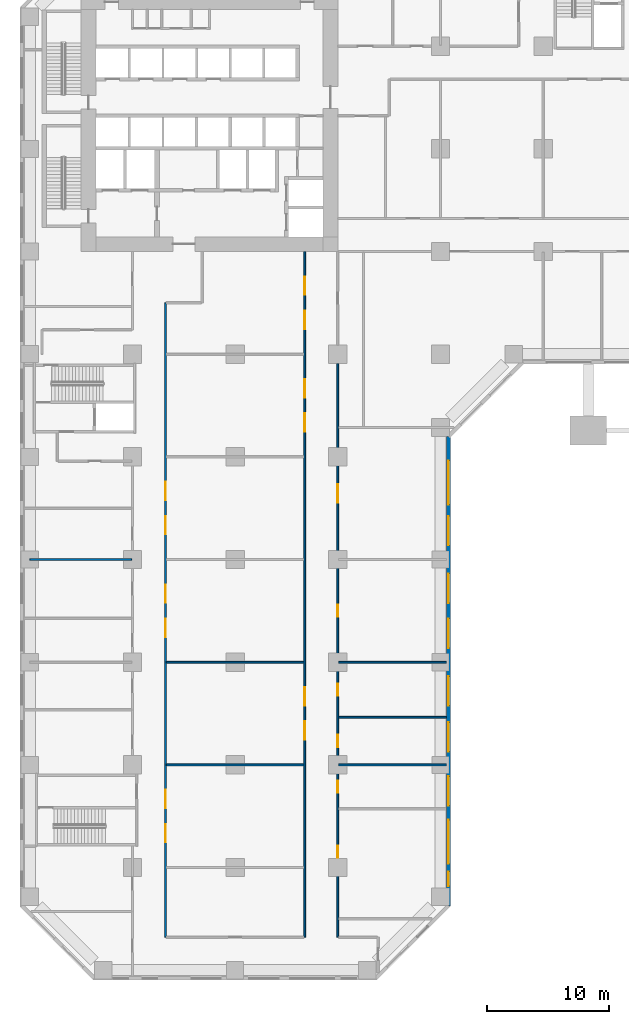
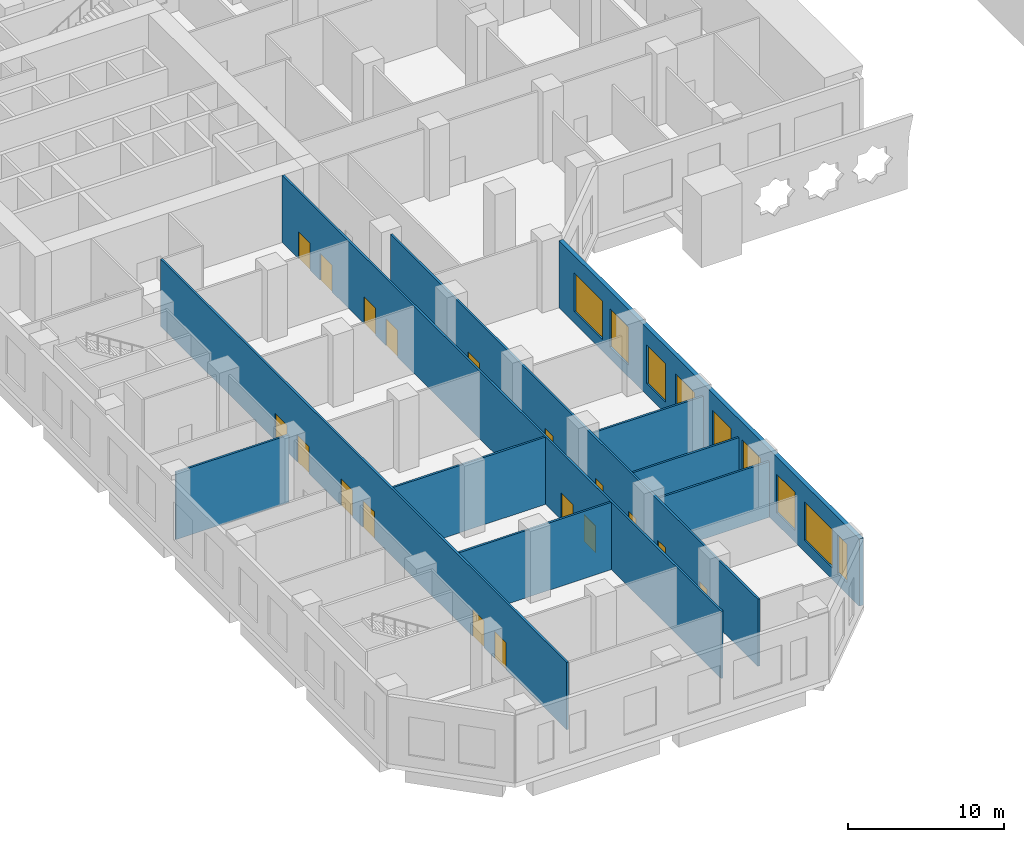
# One storey, part 3 of 17: 18 doors, 10 walls, 9 windows, 27 openings.
"""IFC4 building model written with IfcOpenShell, lengths in metres."""

from ifc_helpers import new_model, si_unit, direction, frame, frame_2d, origin, place, context, subcontext, project, spatial, rectangle, extrude, material, layer, layer_set, type_object, element, fill, save


model = new_model("IFC4")

# Units and contexts
model_context = context("Model", 3, precision=1e-05, world=origin(), true_north=direction((0.0, 1.0)))
body_context = subcontext(model_context, "Body", "Model", "MODEL_VIEW")
ifc_project = project(units=[si_unit("LENGTHUNIT", "METRE"), si_unit("AREAUNIT", "SQUARE_METRE"), si_unit("VOLUMEUNIT", "CUBIC_METRE"), si_unit("PLANEANGLEUNIT", "RADIAN"), si_unit("MASSUNIT", "GRAM", prefix="KILO")], contexts=[model_context])

# Site, building, storey
site_placement = place(None, origin())
site = spatial("IfcSite", under=ifc_project, at=site_placement, CompositionType="ELEMENT")
building_placement = place(site_placement, origin())
building = spatial("IfcBuilding", under=site, at=building_placement, Name="Kawkab Arch Medical Tower", CompositionType="ELEMENT")
storey_placement = place(building_placement, frame((0.0, 0.0, 7.0)))
storey = spatial("IfcBuildingStorey", under=building, at=storey_placement, Name="L02", CompositionType="ELEMENT", Elevation=7.0)

# Walls
ifc_material_1 = material(Name="Gypsum board partition on steel studs, mineral wool", Category="steel")
ifc_layer_1 = layer(ifc_material_1, 0.14990234375)
ifc_layer_set_1 = layer_set([ifc_layer_1], Name="Gypsum board partition on steel studs, mineral wool")
wall_type_1 = type_object("IfcWallType", Name="Partition 150", PredefinedType="PARTITIONING", material=ifc_layer_set_1)
wall_1_placement = place(storey_placement, frame((11.175048828125, -67.199951171875, 0.0), z_axis=(0.0, 0.0, 1.0), x_axis=(1.0, 0.0, 0.0)))
element("IfcWall", 1, at=wall_1_placement, inside=storey, type_object=wall_type_1, Name="Partition 150 w008", PredefinedType="PARTITIONING", context=body_context, shape_type="SweptSolid", body=[
    extrude(rectangle(XDim=11.25, YDim=0.14990234375, at=frame_2d((5.625, 0.0))), origin(), (0.0, 0.0, 1.0), 5.25),
])
wall_2_placement = place(storey_placement, frame((25.27490234375, -67.199951171875, 0.0), z_axis=(0.0, 0.0, 1.0), x_axis=(1.0, 0.0, 0.0)))
element("IfcWall", 2, at=wall_2_placement, inside=storey, type_object=wall_type_1, Name="Partition 150 w009", PredefinedType="PARTITIONING", context=body_context, shape_type="SweptSolid", body=[
    extrude(rectangle(XDim=8.80517578125, YDim=0.14990234375, at=frame_2d((4.402587890625, 0.0))), origin(), (0.0, 0.0, 1.0), 4.35009765625),
])
wall_3_placement = place(storey_placement, frame((25.27490234375, -63.300048828125, 0.0), z_axis=(0.0, 0.0, 1.0), x_axis=(1.0, 0.0, 0.0)))
element("IfcWall", 3, at=wall_3_placement, inside=storey, type_object=wall_type_1, Name="Partition 150 w010", PredefinedType="PARTITIONING", context=body_context, shape_type="SweptSolid", body=[
    extrude(rectangle(XDim=8.80517578125, YDim=0.14990234375, at=frame_2d((4.402587890625, 0.0))), origin(), (0.0, 0.0, 1.0), 3.85009765625),
])
wall_4_placement = place(storey_placement, frame((11.175048828125, -58.800048828125, 0.0), z_axis=(0.0, 0.0, 1.0), x_axis=(1.0, 0.0, 0.0)))
element("IfcWall", 4, at=wall_4_placement, inside=storey, type_object=wall_type_1, Name="Partition 150 w013", PredefinedType="PARTITIONING", context=body_context, shape_type="SweptSolid", body=[
    extrude(rectangle(XDim=11.25, YDim=0.14990234375, at=frame_2d((5.625, 0.0))), origin(), (0.0, 0.0, 1.0), 5.25),
])
wall_5_placement = place(storey_placement, frame((25.27490234375, -58.800048828125, 0.0), z_axis=(0.0, 0.0, 1.0), x_axis=(1.0, 0.0, 0.0)))
element("IfcWall", 5, at=wall_5_placement, inside=storey, type_object=wall_type_1, Name="Partition 150 w014", PredefinedType="PARTITIONING", context=body_context, shape_type="SweptSolid", body=[
    extrude(rectangle(XDim=8.80517578125, YDim=0.14990234375, at=frame_2d((4.402587890625, 0.0))), origin(), (0.0, 0.0, 1.0), 4.35009765625),
])
wall_6_placement = place(storey_placement, frame((0.001953125, -50.39990234375, 0.0), z_axis=(0.0, 0.0, 1.0), x_axis=(1.0, 0.0, 0.0)))
element("IfcWall", 6, at=wall_6_placement, inside=storey, type_object=wall_type_1, Name="Partition 150 w016", PredefinedType="PARTITIONING", context=body_context, shape_type="SweptSolid", body=[
    extrude(rectangle(XDim=8.322998046875, YDim=0.14990234375, at=frame_2d((4.16162109375, 0.0))), origin(), (0.0, 0.0, 1.0), 5.25),
])

# Wall, openings, doors
wall_7_placement = place(storey_placement, frame((11.10009765625, -81.300048828125, 0.0), z_axis=(0.0, 0.0, 1.0), x_axis=(0.0, 1.0, 0.0)))
wall_7 = element("IfcWall", 7, at=wall_7_placement, inside=storey, type_object=wall_type_1, Name="Partition 150 w045", PredefinedType="PARTITIONING", context=body_context, shape_type="SweptSolid", body=[
    extrude(rectangle(XDim=51.900146484375, YDim=0.14990234375, at=frame_2d((25.9501953125, 0.0))), origin(), (0.0, 0.0, 1.0), 5.25),
])
opening_1_placement = place(wall_7_placement, frame((35.75, 0.0, 0.0)))
opening_1 = element("IfcOpeningElement", 8, at=opening_1_placement, cuts=wall_7, Name="Opening P02-020", PredefinedType="OPENING", context=body_context, shape_type="SweptSolid", body=[
    extrude(rectangle(XDim=1.5, YDim=2.10009765625, at=frame_2d((0.75, 1.050048828125))), frame((0.0, 0.0849609375, 0.0), z_axis=(0.0, -1.0, 0.0), x_axis=(1.0, 0.0, 0.0)), (0.0, 0.0, 1.0), 0.169921875),
])
opening_2_placement = place(wall_7_placement, frame((32.949951171875, 0.0, 0.0)))
opening_2 = element("IfcOpeningElement", 9, at=opening_2_placement, cuts=wall_7, Name="Opening P02-021", PredefinedType="OPENING", context=body_context, shape_type="SweptSolid", body=[
    extrude(rectangle(XDim=1.5, YDim=2.10009765625, at=frame_2d((0.75, 1.050048828125))), frame((0.0, 0.0849609375, 0.0), z_axis=(0.0, -1.0, 0.0), x_axis=(1.0, 0.0, 0.0)), (0.0, 0.0, 1.0), 0.169921875),
])
opening_3_placement = place(wall_7_placement, frame((27.35009765625, 0.0, 0.0)))
opening_3 = element("IfcOpeningElement", 10, at=opening_3_placement, cuts=wall_7, Name="Opening P02-022", PredefinedType="OPENING", context=body_context, shape_type="SweptSolid", body=[
    extrude(rectangle(XDim=1.5, YDim=2.10009765625, at=frame_2d((0.75, 1.050048828125))), frame((0.0, 0.0849609375, 0.0), z_axis=(0.0, -1.0, 0.0), x_axis=(1.0, 0.0, 0.0)), (0.0, 0.0, 1.0), 0.169921875),
])
opening_4_placement = place(wall_7_placement, frame((24.550048828125, 0.0, 0.0)))
opening_4 = element("IfcOpeningElement", 11, at=opening_4_placement, cuts=wall_7, Name="Opening P02-023", PredefinedType="OPENING", context=body_context, shape_type="SweptSolid", body=[
    extrude(rectangle(XDim=1.5, YDim=2.10009765625, at=frame_2d((0.75, 1.050048828125))), frame((0.0, 0.0849609375, 0.0), z_axis=(0.0, -1.0, 0.0), x_axis=(1.0, 0.0, 0.0)), (0.0, 0.0, 1.0), 0.169921875),
])
opening_5_placement = place(wall_7_placement, frame((10.550048828125, 0.0, 0.0)))
opening_5 = element("IfcOpeningElement", 12, at=opening_5_placement, cuts=wall_7, Name="Opening P02-026", PredefinedType="OPENING", context=body_context, shape_type="SweptSolid", body=[
    extrude(rectangle(XDim=1.5, YDim=2.10009765625, at=frame_2d((0.75, 1.050048828125))), frame((0.0, 0.0849609375, 0.0), z_axis=(0.0, -1.0, 0.0), x_axis=(1.0, 0.0, 0.0)), (0.0, 0.0, 1.0), 0.169921875),
])
opening_6_placement = place(wall_7_placement, frame((7.75, 0.0, 0.0)))
opening_6 = element("IfcOpeningElement", 13, at=opening_6_placement, cuts=wall_7, Name="Opening P02-027", PredefinedType="OPENING", context=body_context, shape_type="SweptSolid", body=[
    extrude(rectangle(XDim=1.5, YDim=2.10009765625, at=frame_2d((0.75, 1.050048828125))), frame((0.0, 0.0849609375, 0.0), z_axis=(0.0, -1.0, 0.0), x_axis=(1.0, 0.0, 0.0)), (0.0, 0.0, 1.0), 0.169921875),
])
ifc_material_2 = material(Name="Hollow metal door leaf")
door_type_1 = type_object("IfcDoorType", Name="Double door 1500x2100 FD30S", OperationType="NOTDEFINED", PredefinedType="DOOR", material=ifc_material_2)
door_1_placement = place(opening_1_placement, origin())
door_1 = element("IfcDoor", 14, at=door_1_placement, inside=storey, type_object=door_type_1, Name="Door P02-020", OperationType="DOUBLE_DOOR_SINGLE_SWING", OverallHeight=2.10009765625, OverallWidth=1.5, PredefinedType="DOOR", context=body_context, shape_type="SweptSolid", body=[
    extrude(rectangle(XDim=1.5, YDim=2.10009765625, at=frame_2d((0.75, 1.050048828125))), frame((0.0, 0.02490234375, 0.0), z_axis=(0.0, -1.0, 0.0), x_axis=(1.0, 0.0, 0.0)), (0.0, 0.0, 1.0), 0.050048828125),
])
fill(opening_1, door_1)
door_2_placement = place(opening_2_placement, origin())
door_2 = element("IfcDoor", 15, at=door_2_placement, inside=storey, type_object=door_type_1, Name="Door P02-021", OperationType="DOUBLE_DOOR_SINGLE_SWING", OverallHeight=2.10009765625, OverallWidth=1.5, PredefinedType="DOOR", context=body_context, shape_type="SweptSolid", body=[
    extrude(rectangle(XDim=1.5, YDim=2.10009765625, at=frame_2d((0.75, 1.050048828125))), frame((0.0, 0.02490234375, 0.0), z_axis=(0.0, -1.0, 0.0), x_axis=(1.0, 0.0, 0.0)), (0.0, 0.0, 1.0), 0.050048828125),
])
fill(opening_2, door_2)
door_3_placement = place(opening_3_placement, origin())
door_3 = element("IfcDoor", 16, at=door_3_placement, inside=storey, type_object=door_type_1, Name="Door P02-022", OperationType="DOUBLE_DOOR_SINGLE_SWING", OverallHeight=2.10009765625, OverallWidth=1.5, PredefinedType="DOOR", context=body_context, shape_type="SweptSolid", body=[
    extrude(rectangle(XDim=1.5, YDim=2.10009765625, at=frame_2d((0.75, 1.050048828125))), frame((0.0, 0.02490234375, 0.0), z_axis=(0.0, -1.0, 0.0), x_axis=(1.0, 0.0, 0.0)), (0.0, 0.0, 1.0), 0.050048828125),
])
fill(opening_3, door_3)
door_4_placement = place(opening_4_placement, origin())
door_4 = element("IfcDoor", 17, at=door_4_placement, inside=storey, type_object=door_type_1, Name="Door P02-023", OperationType="DOUBLE_DOOR_SINGLE_SWING", OverallHeight=2.10009765625, OverallWidth=1.5, PredefinedType="DOOR", context=body_context, shape_type="SweptSolid", body=[
    extrude(rectangle(XDim=1.5, YDim=2.10009765625, at=frame_2d((0.75, 1.050048828125))), frame((0.0, 0.02490234375, 0.0), z_axis=(0.0, -1.0, 0.0), x_axis=(1.0, 0.0, 0.0)), (0.0, 0.0, 1.0), 0.050048828125),
])
fill(opening_4, door_4)
door_5_placement = place(opening_5_placement, origin())
door_5 = element("IfcDoor", 18, at=door_5_placement, inside=storey, type_object=door_type_1, Name="Door P02-026", OperationType="DOUBLE_DOOR_SINGLE_SWING", OverallHeight=2.10009765625, OverallWidth=1.5, PredefinedType="DOOR", context=body_context, shape_type="SweptSolid", body=[
    extrude(rectangle(XDim=1.5, YDim=2.10009765625, at=frame_2d((0.75, 1.050048828125))), frame((0.0, 0.02490234375, 0.0), z_axis=(0.0, -1.0, 0.0), x_axis=(1.0, 0.0, 0.0)), (0.0, 0.0, 1.0), 0.050048828125),
])
fill(opening_5, door_5)
door_6_placement = place(opening_6_placement, origin())
door_6 = element("IfcDoor", 19, at=door_6_placement, inside=storey, type_object=door_type_1, Name="Door P02-027", OperationType="DOUBLE_DOOR_SINGLE_SWING", OverallHeight=2.10009765625, OverallWidth=1.5, PredefinedType="DOOR", context=body_context, shape_type="SweptSolid", body=[
    extrude(rectangle(XDim=1.5, YDim=2.10009765625, at=frame_2d((0.75, 1.050048828125))), frame((0.0, 0.02490234375, 0.0), z_axis=(0.0, -1.0, 0.0), x_axis=(1.0, 0.0, 0.0)), (0.0, 0.0, 1.0), 0.050048828125),
])
fill(opening_6, door_6)

wall_8_placement = place(storey_placement, frame((22.5, -81.300048828125, 0.0), z_axis=(0.0, 0.0, 1.0), x_axis=(0.0, 1.0, 0.0)))
wall_8 = element("IfcWall", 20, at=wall_8_placement, inside=storey, type_object=wall_type_1, Name="Partition 150 w047", PredefinedType="PARTITIONING", context=body_context, shape_type="SweptSolid", body=[
    extrude(rectangle(XDim=56.10009765625, YDim=0.14990234375, at=frame_2d((28.050048828125, 0.0))), origin(), (0.0, 0.0, 1.0), 5.25),
])
opening_7_placement = place(wall_8_placement, frame((49.75, 0.0, 0.0)))
opening_7 = element("IfcOpeningElement", 21, at=opening_7_placement, cuts=wall_8, Name="Opening P02-016", PredefinedType="OPENING", context=body_context, shape_type="SweptSolid", body=[
    extrude(rectangle(XDim=1.5, YDim=2.10009765625, at=frame_2d((0.75, 1.050048828125))), frame((0.0, 0.0849609375, 0.0), z_axis=(0.0, -1.0, 0.0), x_axis=(1.0, 0.0, 0.0)), (0.0, 0.0, 1.0), 0.169921875),
])
opening_8_placement = place(wall_8_placement, frame((52.550048828125, 0.0, 0.0)))
opening_8 = element("IfcOpeningElement", 22, at=opening_8_placement, cuts=wall_8, Name="Opening P02-017", PredefinedType="OPENING", context=body_context, shape_type="SweptSolid", body=[
    extrude(rectangle(XDim=1.5, YDim=2.10009765625, at=frame_2d((0.75, 1.050048828125))), frame((0.0, 0.0849609375, 0.0), z_axis=(0.0, -1.0, 0.0), x_axis=(1.0, 0.0, 0.0)), (0.0, 0.0, 1.0), 0.169921875),
])
opening_9_placement = place(wall_8_placement, frame((41.35009765625, 0.0, 0.0)))
opening_9 = element("IfcOpeningElement", 23, at=opening_9_placement, cuts=wall_8, Name="Opening P02-018", PredefinedType="OPENING", context=body_context, shape_type="SweptSolid", body=[
    extrude(rectangle(XDim=1.5, YDim=2.10009765625, at=frame_2d((0.75, 1.050048828125))), frame((0.0, 0.0849609375, 0.0), z_axis=(0.0, -1.0, 0.0), x_axis=(1.0, 0.0, 0.0)), (0.0, 0.0, 1.0), 0.169921875),
])
opening_10_placement = place(wall_8_placement, frame((44.14990234375, 0.0, 0.0)))
opening_10 = element("IfcOpeningElement", 24, at=opening_10_placement, cuts=wall_8, Name="Opening P02-019", PredefinedType="OPENING", context=body_context, shape_type="SweptSolid", body=[
    extrude(rectangle(XDim=1.5, YDim=2.10009765625, at=frame_2d((0.75, 1.050048828125))), frame((0.0, 0.0849609375, 0.0), z_axis=(0.0, -1.0, 0.0), x_axis=(1.0, 0.0, 0.0)), (0.0, 0.0, 1.0), 0.169921875),
])
opening_11_placement = place(wall_8_placement, frame((16.14990234375, 0.0, 0.0)))
opening_11 = element("IfcOpeningElement", 25, at=opening_11_placement, cuts=wall_8, Name="Opening P02-024", PredefinedType="OPENING", context=body_context, shape_type="SweptSolid", body=[
    extrude(rectangle(XDim=1.5, YDim=2.10009765625, at=frame_2d((0.75, 1.050048828125))), frame((0.0, 0.0849609375, 0.0), z_axis=(0.0, -1.0, 0.0), x_axis=(1.0, 0.0, 0.0)), (0.0, 0.0, 1.0), 0.169921875),
])
opening_12_placement = place(wall_8_placement, frame((18.949951171875, 0.0, 0.0)))
opening_12 = element("IfcOpeningElement", 26, at=opening_12_placement, cuts=wall_8, Name="Opening P02-025", PredefinedType="OPENING", context=body_context, shape_type="SweptSolid", body=[
    extrude(rectangle(XDim=1.5, YDim=2.10009765625, at=frame_2d((0.75, 1.050048828125))), frame((0.0, 0.0849609375, 0.0), z_axis=(0.0, -1.0, 0.0), x_axis=(1.0, 0.0, 0.0)), (0.0, 0.0, 1.0), 0.169921875),
])
door_7_placement = place(opening_7_placement, origin())
door_7 = element("IfcDoor", 27, at=door_7_placement, inside=storey, type_object=door_type_1, Name="Door P02-016", OperationType="DOUBLE_DOOR_SINGLE_SWING", OverallHeight=2.10009765625, OverallWidth=1.5, PredefinedType="DOOR", context=body_context, shape_type="SweptSolid", body=[
    extrude(rectangle(XDim=1.5, YDim=2.10009765625, at=frame_2d((0.75, 1.050048828125))), frame((0.0, 0.02490234375, 0.0), z_axis=(0.0, -1.0, 0.0), x_axis=(1.0, 0.0, 0.0)), (0.0, 0.0, 1.0), 0.050048828125),
])
fill(opening_7, door_7)
door_8_placement = place(opening_8_placement, origin())
door_8 = element("IfcDoor", 28, at=door_8_placement, inside=storey, type_object=door_type_1, Name="Door P02-017", OperationType="DOUBLE_DOOR_SINGLE_SWING", OverallHeight=2.10009765625, OverallWidth=1.5, PredefinedType="DOOR", context=body_context, shape_type="SweptSolid", body=[
    extrude(rectangle(XDim=1.5, YDim=2.10009765625, at=frame_2d((0.75, 1.050048828125))), frame((0.0, 0.02490234375, 0.0), z_axis=(0.0, -1.0, 0.0), x_axis=(1.0, 0.0, 0.0)), (0.0, 0.0, 1.0), 0.050048828125),
])
fill(opening_8, door_8)
door_9_placement = place(opening_9_placement, origin())
door_9 = element("IfcDoor", 29, at=door_9_placement, inside=storey, type_object=door_type_1, Name="Door P02-018", OperationType="DOUBLE_DOOR_SINGLE_SWING", OverallHeight=2.10009765625, OverallWidth=1.5, PredefinedType="DOOR", context=body_context, shape_type="SweptSolid", body=[
    extrude(rectangle(XDim=1.5, YDim=2.10009765625, at=frame_2d((0.75, 1.050048828125))), frame((0.0, 0.02490234375, 0.0), z_axis=(0.0, -1.0, 0.0), x_axis=(1.0, 0.0, 0.0)), (0.0, 0.0, 1.0), 0.050048828125),
])
fill(opening_9, door_9)
door_10_placement = place(opening_10_placement, origin())
door_10 = element("IfcDoor", 30, at=door_10_placement, inside=storey, type_object=door_type_1, Name="Door P02-019", OperationType="DOUBLE_DOOR_SINGLE_SWING", OverallHeight=2.10009765625, OverallWidth=1.5, PredefinedType="DOOR", context=body_context, shape_type="SweptSolid", body=[
    extrude(rectangle(XDim=1.5, YDim=2.10009765625, at=frame_2d((0.75, 1.050048828125))), frame((0.0, 0.02490234375, 0.0), z_axis=(0.0, -1.0, 0.0), x_axis=(1.0, 0.0, 0.0)), (0.0, 0.0, 1.0), 0.050048828125),
])
fill(opening_10, door_10)
door_11_placement = place(opening_11_placement, origin())
door_11 = element("IfcDoor", 31, at=door_11_placement, inside=storey, type_object=door_type_1, Name="Door P02-024", OperationType="DOUBLE_DOOR_SINGLE_SWING", OverallHeight=2.10009765625, OverallWidth=1.5, PredefinedType="DOOR", context=body_context, shape_type="SweptSolid", body=[
    extrude(rectangle(XDim=1.5, YDim=2.10009765625, at=frame_2d((0.75, 1.050048828125))), frame((0.0, 0.02490234375, 0.0), z_axis=(0.0, -1.0, 0.0), x_axis=(1.0, 0.0, 0.0)), (0.0, 0.0, 1.0), 0.050048828125),
])
fill(opening_11, door_11)
door_12_placement = place(opening_12_placement, origin())
door_12 = element("IfcDoor", 32, at=door_12_placement, inside=storey, type_object=door_type_1, Name="Door P02-025", OperationType="DOUBLE_DOOR_SINGLE_SWING", OverallHeight=2.10009765625, OverallWidth=1.5, PredefinedType="DOOR", context=body_context, shape_type="SweptSolid", body=[
    extrude(rectangle(XDim=1.5, YDim=2.10009765625, at=frame_2d((0.75, 1.050048828125))), frame((0.0, 0.02490234375, 0.0), z_axis=(0.0, -1.0, 0.0), x_axis=(1.0, 0.0, 0.0)), (0.0, 0.0, 1.0), 0.050048828125),
])
fill(opening_12, door_12)

wall_9_placement = place(storey_placement, frame((25.199951171875, -81.300048828125, 0.0), z_axis=(0.0, 0.0, 1.0), x_axis=(0.0, 1.0, 0.0)))
wall_9 = element("IfcWall", 33, at=wall_9_placement, inside=storey, type_object=wall_type_1, Name="Partition 150 w048", PredefinedType="PARTITIONING", context=body_context, shape_type="SweptSolid", body=[
    extrude(rectangle(XDim=46.949951171875, YDim=0.14990234375, at=frame_2d((23.47509765625, 0.0))), origin(), (0.0, 0.0, 1.0), 5.25),
])
opening_13_placement = place(wall_9_placement, frame((35.550048828125, 0.0, 0.0)))
opening_13 = element("IfcOpeningElement", 34, at=opening_13_placement, cuts=wall_9, Name="Opening P02-028", PredefinedType="OPENING", context=body_context, shape_type="SweptSolid", body=[
    extrude(rectangle(XDim=1.5, YDim=2.10009765625, at=frame_2d((0.75, 1.050048828125))), frame((0.0, 0.0849609375, 0.0), z_axis=(0.0, -1.0, 0.0), x_axis=(1.0, 0.0, 0.0)), (0.0, 0.0, 1.0), 0.169921875),
])
opening_14_placement = place(wall_9_placement, frame((26.199951171875, 0.0, 0.0)))
opening_14 = element("IfcOpeningElement", 35, at=opening_14_placement, cuts=wall_9, Name="Opening P02-053", PredefinedType="OPENING", context=body_context, shape_type="SweptSolid", body=[
    extrude(rectangle(XDim=1.0, YDim=2.10009765625, at=frame_2d((0.5, 1.050048828125))), frame((0.0, 0.0849609375, 0.0), z_axis=(0.0, -1.0, 0.0), x_axis=(1.0, 0.0, 0.0)), (0.0, 0.0, 1.0), 0.169921875),
])
opening_15_placement = place(wall_9_placement, frame((19.75, 0.0, 0.0)))
opening_15 = element("IfcOpeningElement", 36, at=opening_15_placement, cuts=wall_9, Name="Opening P02-054", PredefinedType="OPENING", context=body_context, shape_type="SweptSolid", body=[
    extrude(rectangle(XDim=1.0, YDim=2.10009765625, at=frame_2d((0.5, 1.050048828125))), frame((0.0, 0.0849609375, 0.0), z_axis=(0.0, -1.0, 0.0), x_axis=(1.0, 0.0, 0.0)), (0.0, 0.0, 1.0), 0.169921875),
])
opening_16_placement = place(wall_9_placement, frame((15.550048828125, 0.0, 0.0)))
opening_16 = element("IfcOpeningElement", 37, at=opening_16_placement, cuts=wall_9, Name="Opening P02-055", PredefinedType="OPENING", context=body_context, shape_type="SweptSolid", body=[
    extrude(rectangle(XDim=1.0, YDim=2.10009765625, at=frame_2d((0.5, 1.050048828125))), frame((0.0, 0.0849609375, 0.0), z_axis=(0.0, -1.0, 0.0), x_axis=(1.0, 0.0, 0.0)), (0.0, 0.0, 1.0), 0.169921875),
])
opening_17_placement = place(wall_9_placement, frame((11.800048828125, 0.0, 0.0)))
opening_17 = element("IfcOpeningElement", 38, at=opening_17_placement, cuts=wall_9, Name="Opening P02-056", PredefinedType="OPENING", context=body_context, shape_type="SweptSolid", body=[
    extrude(rectangle(XDim=1.0, YDim=2.10009765625, at=frame_2d((0.5, 1.050048828125))), frame((0.0, 0.0849609375, 0.0), z_axis=(0.0, -1.0, 0.0), x_axis=(1.0, 0.0, 0.0)), (0.0, 0.0, 1.0), 0.169921875),
])
opening_18_placement = place(wall_9_placement, frame((6.5, 0.0, 0.0)))
opening_18 = element("IfcOpeningElement", 39, at=opening_18_placement, cuts=wall_9, Name="Opening P02-057", PredefinedType="OPENING", context=body_context, shape_type="SweptSolid", body=[
    extrude(rectangle(XDim=1.0, YDim=2.10009765625, at=frame_2d((0.5, 1.050048828125))), frame((0.0, 0.0849609375, 0.0), z_axis=(0.0, -1.0, 0.0), x_axis=(1.0, 0.0, 0.0)), (0.0, 0.0, 1.0), 0.169921875),
])
door_13_placement = place(opening_13_placement, origin())
door_13 = element("IfcDoor", 40, at=door_13_placement, inside=storey, type_object=door_type_1, Name="Door P02-028", OperationType="DOUBLE_DOOR_SINGLE_SWING", OverallHeight=2.10009765625, OverallWidth=1.5, PredefinedType="DOOR", context=body_context, shape_type="SweptSolid", body=[
    extrude(rectangle(XDim=1.5, YDim=2.10009765625, at=frame_2d((0.75, 1.050048828125))), frame((0.0, 0.02490234375, 0.0), z_axis=(0.0, -1.0, 0.0), x_axis=(1.0, 0.0, 0.0)), (0.0, 0.0, 1.0), 0.050048828125),
])
fill(opening_13, door_13)
ifc_material_3 = material(Name="Hollow metal door leaf")
door_type_2 = type_object("IfcDoorType", Name="Single door 1000x2100 FD30S", OperationType="NOTDEFINED", PredefinedType="DOOR", material=ifc_material_3)
door_14_placement = place(opening_14_placement, origin())
door_14 = element("IfcDoor", 41, at=door_14_placement, inside=storey, type_object=door_type_2, Name="Door P02-053", OperationType="SINGLE_SWING_LEFT", OverallHeight=2.10009765625, OverallWidth=1.0, PredefinedType="DOOR", context=body_context, shape_type="SweptSolid", body=[
    extrude(rectangle(XDim=1.0, YDim=2.10009765625, at=frame_2d((0.5, 1.050048828125))), frame((0.0, 0.02490234375, 0.0), z_axis=(0.0, -1.0, 0.0), x_axis=(1.0, 0.0, 0.0)), (0.0, 0.0, 1.0), 0.050048828125),
])
fill(opening_14, door_14)
door_15_placement = place(opening_15_placement, origin())
door_15 = element("IfcDoor", 42, at=door_15_placement, inside=storey, type_object=door_type_2, Name="Door P02-054", OperationType="SINGLE_SWING_RIGHT", OverallHeight=2.10009765625, OverallWidth=1.0, PredefinedType="DOOR", context=body_context, shape_type="SweptSolid", body=[
    extrude(rectangle(XDim=1.0, YDim=2.10009765625, at=frame_2d((0.5, 1.050048828125))), frame((0.0, 0.02490234375, 0.0), z_axis=(0.0, -1.0, 0.0), x_axis=(1.0, 0.0, 0.0)), (0.0, 0.0, 1.0), 0.050048828125),
])
fill(opening_15, door_15)
door_16_placement = place(opening_16_placement, origin())
door_16 = element("IfcDoor", 43, at=door_16_placement, inside=storey, type_object=door_type_2, Name="Door P02-055", OperationType="SINGLE_SWING_RIGHT", OverallHeight=2.10009765625, OverallWidth=1.0, PredefinedType="DOOR", context=body_context, shape_type="SweptSolid", body=[
    extrude(rectangle(XDim=1.0, YDim=2.10009765625, at=frame_2d((0.5, 1.050048828125))), frame((0.0, 0.02490234375, 0.0), z_axis=(0.0, -1.0, 0.0), x_axis=(1.0, 0.0, 0.0)), (0.0, 0.0, 1.0), 0.050048828125),
])
fill(opening_16, door_16)
door_17_placement = place(opening_17_placement, origin())
door_17 = element("IfcDoor", 44, at=door_17_placement, inside=storey, type_object=door_type_2, Name="Door P02-056", OperationType="SINGLE_SWING_RIGHT", OverallHeight=2.10009765625, OverallWidth=1.0, PredefinedType="DOOR", context=body_context, shape_type="SweptSolid", body=[
    extrude(rectangle(XDim=1.0, YDim=2.10009765625, at=frame_2d((0.5, 1.050048828125))), frame((0.0, 0.02490234375, 0.0), z_axis=(0.0, -1.0, 0.0), x_axis=(1.0, 0.0, 0.0)), (0.0, 0.0, 1.0), 0.050048828125),
])
fill(opening_17, door_17)
door_18_placement = place(opening_18_placement, origin())
door_18 = element("IfcDoor", 45, at=door_18_placement, inside=storey, type_object=door_type_2, Name="Door P02-057", OperationType="SINGLE_SWING_RIGHT", OverallHeight=2.10009765625, OverallWidth=1.0, PredefinedType="DOOR", context=body_context, shape_type="SweptSolid", body=[
    extrude(rectangle(XDim=1.0, YDim=2.10009765625, at=frame_2d((0.5, 1.050048828125))), frame((0.0, 0.02490234375, 0.0), z_axis=(0.0, -1.0, 0.0), x_axis=(1.0, 0.0, 0.0)), (0.0, 0.0, 1.0), 0.050048828125),
])
fill(opening_18, door_18)

# Wall, openings, windows
ifc_material_4 = material(Name="Bronze clad insulated wall panel")
ifc_layer_2 = layer(ifc_material_4, 0.300048828125)
ifc_layer_set_2 = layer_set([ifc_layer_2], Name="Bronze clad insulated wall panel")
wall_type_2 = type_object("IfcWallType", Name="Podium external wall 300", PredefinedType="SOLIDWALL", material=ifc_layer_set_2)
wall_10_placement = place(storey_placement, frame((34.25, -78.73779296875, 0.0), z_axis=(0.0, 0.0, 1.0), x_axis=(0.0, 1.0, 0.0)))
wall_10 = element("IfcWall", 46, at=wall_10_placement, inside=storey, type_object=wall_type_2, Name="Podium external wall L02 R01", PredefinedType="SOLIDWALL", context=body_context, shape_type="SweptSolid", body=[
    extrude(rectangle(XDim=38.39990234375, YDim=0.300048828125, at=frame_2d((19.199951171875, 0.0))), origin(), (0.0, 0.0, 1.0), 5.25),
])
opening_19_placement = place(wall_10_placement, frame((1.6103515625, 0.0, 0.89990234375)))
opening_19 = element("IfcOpeningElement", 47, at=opening_19_placement, cuts=wall_10, Name="Opening PBW120-30-S9", PredefinedType="OPENING", context=body_context, shape_type="SweptSolid", body=[
    extrude(rectangle(XDim=1.199951171875, YDim=3.0, at=frame_2d((0.60009765625, 1.5))), frame((0.0, 0.159912109375, 0.0), z_axis=(0.0, -1.0, 0.0), x_axis=(1.0, 0.0, 0.0)), (0.0, 0.0, 1.0), 0.320068359375),
])
opening_20_placement = place(wall_10_placement, frame((3.43798828125, 0.0, 0.89990234375)))
opening_20 = element("IfcOpeningElement", 48, at=opening_20_placement, cuts=wall_10, Name="Opening PBW360-30-S9", PredefinedType="OPENING", context=body_context, shape_type="SweptSolid", body=[
    extrude(rectangle(XDim=3.60009765625, YDim=3.0, at=frame_2d((1.800048828125, 1.5))), frame((0.0, 0.159912109375, 0.0), z_axis=(0.0, -1.0, 0.0), x_axis=(1.0, 0.0, 0.0)), (0.0, 0.0, 1.0), 0.320068359375),
])
opening_21_placement = place(wall_10_placement, frame((8.202880859375, 0.0, 0.89990234375)))
opening_21 = element("IfcOpeningElement", 49, at=opening_21_placement, cuts=wall_10, Name="Opening PBW240-30-S9", PredefinedType="OPENING", context=body_context, shape_type="SweptSolid", body=[
    extrude(rectangle(XDim=2.39990234375, YDim=3.0, at=frame_2d((1.199951171875, 1.5))), frame((0.0, 0.159912109375, 0.0), z_axis=(0.0, -1.0, 0.0), x_axis=(1.0, 0.0, 0.0)), (0.0, 0.0, 1.0), 0.320068359375),
])
opening_22_placement = place(wall_10_placement, frame((12.622802734375, 0.0, 0.89990234375)))
opening_22 = element("IfcOpeningElement", 50, at=opening_22_placement, cuts=wall_10, Name="Opening PBW240-30-S9", PredefinedType="OPENING", context=body_context, shape_type="SweptSolid", body=[
    extrude(rectangle(XDim=2.39990234375, YDim=3.0, at=frame_2d((1.199951171875, 1.5))), frame((0.0, 0.159912109375, 0.0), z_axis=(0.0, -1.0, 0.0), x_axis=(1.0, 0.0, 0.0)), (0.0, 0.0, 1.0), 0.320068359375),
])
opening_23_placement = place(wall_10_placement, frame((16.3779296875, 0.0, 0.89990234375)))
opening_23 = element("IfcOpeningElement", 51, at=opening_23_placement, cuts=wall_10, Name="Opening PBW240-30-S9", PredefinedType="OPENING", context=body_context, shape_type="SweptSolid", body=[
    extrude(rectangle(XDim=2.39990234375, YDim=3.0, at=frame_2d((1.199951171875, 1.5))), frame((0.0, 0.159912109375, 0.0), z_axis=(0.0, -1.0, 0.0), x_axis=(1.0, 0.0, 0.0)), (0.0, 0.0, 1.0), 0.320068359375),
])
opening_24_placement = place(wall_10_placement, frame((21.097900390625, 0.0, 0.89990234375)))
opening_24 = element("IfcOpeningElement", 52, at=opening_24_placement, cuts=wall_10, Name="Opening PBW240-30-S9", PredefinedType="OPENING", context=body_context, shape_type="SweptSolid", body=[
    extrude(rectangle(XDim=2.39990234375, YDim=3.0, at=frame_2d((1.199951171875, 1.5))), frame((0.0, 0.159912109375, 0.0), z_axis=(0.0, -1.0, 0.0), x_axis=(1.0, 0.0, 0.0)), (0.0, 0.0, 1.0), 0.320068359375),
])
opening_25_placement = place(wall_10_placement, frame((24.77783203125, 0.0, 0.89990234375)))
opening_25 = element("IfcOpeningElement", 53, at=opening_25_placement, cuts=wall_10, Name="Opening PBW240-30-S9", PredefinedType="OPENING", context=body_context, shape_type="SweptSolid", body=[
    extrude(rectangle(XDim=2.39990234375, YDim=3.0, at=frame_2d((1.199951171875, 1.5))), frame((0.0, 0.159912109375, 0.0), z_axis=(0.0, -1.0, 0.0), x_axis=(1.0, 0.0, 0.0)), (0.0, 0.0, 1.0), 0.320068359375),
])
opening_26_placement = place(wall_10_placement, frame((29.497802734375, 0.0, 0.89990234375)))
opening_26 = element("IfcOpeningElement", 54, at=opening_26_placement, cuts=wall_10, Name="Opening PBW240-30-S9", PredefinedType="OPENING", context=body_context, shape_type="SweptSolid", body=[
    extrude(rectangle(XDim=2.39990234375, YDim=3.0, at=frame_2d((1.199951171875, 1.5))), frame((0.0, 0.159912109375, 0.0), z_axis=(0.0, -1.0, 0.0), x_axis=(1.0, 0.0, 0.0)), (0.0, 0.0, 1.0), 0.320068359375),
])
opening_27_placement = place(wall_10_placement, frame((32.837890625, 0.0, 0.89990234375)))
opening_27 = element("IfcOpeningElement", 55, at=opening_27_placement, cuts=wall_10, Name="Opening PBW360-30-S9", PredefinedType="OPENING", context=body_context, shape_type="SweptSolid", body=[
    extrude(rectangle(XDim=3.60009765625, YDim=3.0, at=frame_2d((1.800048828125, 1.5))), frame((0.0, 0.159912109375, 0.0), z_axis=(0.0, -1.0, 0.0), x_axis=(1.0, 0.0, 0.0)), (0.0, 0.0, 1.0), 0.320068359375),
])
ifc_material_5 = material(Name="Bronze anodised aluminium louvred window", Category="aluminium")
window_type_1 = type_object("IfcWindowType", Name="Podium band window 1200 x 3000 sill 900", PartitioningType="DOUBLE_PANEL_VERTICAL", PredefinedType="WINDOW", material=ifc_material_5)
window_1_placement = place(opening_19_placement, origin())
window_1 = element("IfcWindow", 56, at=window_1_placement, inside=storey, type_object=window_type_1, Name="Band window L02 R01.1", OverallHeight=3.0, OverallWidth=1.199951171875, PartitioningType="SINGLE_PANEL", PredefinedType="WINDOW", context=body_context, shape_type="SweptSolid", body=[
    extrude(rectangle(XDim=1.199951171875, YDim=3.0, at=frame_2d((0.60009765625, 1.5))), frame((0.0, 0.030029296875, 0.0), z_axis=(0.0, -1.0, 0.0), x_axis=(1.0, 0.0, 0.0)), (0.0, 0.0, 1.0), 0.06005859375),
])
fill(opening_19, window_1)
ifc_material_6 = material(Name="Bronze anodised aluminium louvred window", Category="aluminium")
window_type_2 = type_object("IfcWindowType", Name="Podium band window 2400 x 3000 sill 900", PartitioningType="DOUBLE_PANEL_VERTICAL", PredefinedType="WINDOW", material=ifc_material_6)
window_2_placement = place(opening_21_placement, origin())
window_2 = element("IfcWindow", 57, at=window_2_placement, inside=storey, type_object=window_type_2, Name="Band window L02 R01.3", OverallHeight=3.0, OverallWidth=2.39990234375, PartitioningType="SINGLE_PANEL", PredefinedType="WINDOW", context=body_context, shape_type="SweptSolid", body=[
    extrude(rectangle(XDim=2.39990234375, YDim=3.0, at=frame_2d((1.199951171875, 1.5))), frame((0.0, 0.030029296875, 0.0), z_axis=(0.0, -1.0, 0.0), x_axis=(1.0, 0.0, 0.0)), (0.0, 0.0, 1.0), 0.06005859375),
])
fill(opening_21, window_2)
window_3_placement = place(opening_22_placement, origin())
window_3 = element("IfcWindow", 58, at=window_3_placement, inside=storey, type_object=window_type_2, Name="Band window L02 R01.4", OverallHeight=3.0, OverallWidth=2.39990234375, PartitioningType="SINGLE_PANEL", PredefinedType="WINDOW", context=body_context, shape_type="SweptSolid", body=[
    extrude(rectangle(XDim=2.39990234375, YDim=3.0, at=frame_2d((1.199951171875, 1.5))), frame((0.0, 0.030029296875, 0.0), z_axis=(0.0, -1.0, 0.0), x_axis=(1.0, 0.0, 0.0)), (0.0, 0.0, 1.0), 0.06005859375),
])
fill(opening_22, window_3)
window_4_placement = place(opening_23_placement, origin())
window_4 = element("IfcWindow", 59, at=window_4_placement, inside=storey, type_object=window_type_2, Name="Band window L02 R01.5", OverallHeight=3.0, OverallWidth=2.39990234375, PartitioningType="SINGLE_PANEL", PredefinedType="WINDOW", context=body_context, shape_type="SweptSolid", body=[
    extrude(rectangle(XDim=2.39990234375, YDim=3.0, at=frame_2d((1.199951171875, 1.5))), frame((0.0, 0.030029296875, 0.0), z_axis=(0.0, -1.0, 0.0), x_axis=(1.0, 0.0, 0.0)), (0.0, 0.0, 1.0), 0.06005859375),
])
fill(opening_23, window_4)
window_5_placement = place(opening_24_placement, origin())
window_5 = element("IfcWindow", 60, at=window_5_placement, inside=storey, type_object=window_type_2, Name="Band window L02 R01.6", OverallHeight=3.0, OverallWidth=2.39990234375, PartitioningType="SINGLE_PANEL", PredefinedType="WINDOW", context=body_context, shape_type="SweptSolid", body=[
    extrude(rectangle(XDim=2.39990234375, YDim=3.0, at=frame_2d((1.199951171875, 1.5))), frame((0.0, 0.030029296875, 0.0), z_axis=(0.0, -1.0, 0.0), x_axis=(1.0, 0.0, 0.0)), (0.0, 0.0, 1.0), 0.06005859375),
])
fill(opening_24, window_5)
window_6_placement = place(opening_25_placement, origin())
window_6 = element("IfcWindow", 61, at=window_6_placement, inside=storey, type_object=window_type_2, Name="Band window L02 R01.7", OverallHeight=3.0, OverallWidth=2.39990234375, PartitioningType="SINGLE_PANEL", PredefinedType="WINDOW", context=body_context, shape_type="SweptSolid", body=[
    extrude(rectangle(XDim=2.39990234375, YDim=3.0, at=frame_2d((1.199951171875, 1.5))), frame((0.0, 0.030029296875, 0.0), z_axis=(0.0, -1.0, 0.0), x_axis=(1.0, 0.0, 0.0)), (0.0, 0.0, 1.0), 0.06005859375),
])
fill(opening_25, window_6)
window_7_placement = place(opening_26_placement, origin())
window_7 = element("IfcWindow", 62, at=window_7_placement, inside=storey, type_object=window_type_2, Name="Band window L02 R01.8", OverallHeight=3.0, OverallWidth=2.39990234375, PartitioningType="SINGLE_PANEL", PredefinedType="WINDOW", context=body_context, shape_type="SweptSolid", body=[
    extrude(rectangle(XDim=2.39990234375, YDim=3.0, at=frame_2d((1.199951171875, 1.5))), frame((0.0, 0.030029296875, 0.0), z_axis=(0.0, -1.0, 0.0), x_axis=(1.0, 0.0, 0.0)), (0.0, 0.0, 1.0), 0.06005859375),
])
fill(opening_26, window_7)
ifc_material_7 = material(Name="Bronze anodised aluminium louvred window", Category="aluminium")
window_type_3 = type_object("IfcWindowType", Name="Podium band window 3600 x 3000 sill 900", PartitioningType="DOUBLE_PANEL_VERTICAL", PredefinedType="WINDOW", material=ifc_material_7)
window_8_placement = place(opening_20_placement, origin())
window_8 = element("IfcWindow", 63, at=window_8_placement, inside=storey, type_object=window_type_3, Name="Band window L02 R01.2", OverallHeight=3.0, OverallWidth=3.60009765625, PartitioningType="SINGLE_PANEL", PredefinedType="WINDOW", context=body_context, shape_type="SweptSolid", body=[
    extrude(rectangle(XDim=3.60009765625, YDim=3.0, at=frame_2d((1.800048828125, 1.5))), frame((0.0, 0.030029296875, 0.0), z_axis=(0.0, -1.0, 0.0), x_axis=(1.0, 0.0, 0.0)), (0.0, 0.0, 1.0), 0.06005859375),
])
fill(opening_20, window_8)
window_9_placement = place(opening_27_placement, origin())
window_9 = element("IfcWindow", 64, at=window_9_placement, inside=storey, type_object=window_type_3, Name="Band window L02 R01.9", OverallHeight=3.0, OverallWidth=3.60009765625, PartitioningType="SINGLE_PANEL", PredefinedType="WINDOW", context=body_context, shape_type="SweptSolid", body=[
    extrude(rectangle(XDim=3.60009765625, YDim=3.0, at=frame_2d((1.800048828125, 1.5))), frame((0.0, 0.030029296875, 0.0), z_axis=(0.0, -1.0, 0.0), x_axis=(1.0, 0.0, 0.0)), (0.0, 0.0, 1.0), 0.06005859375),
])
fill(opening_27, window_9)

save(model, "model.ifc")
